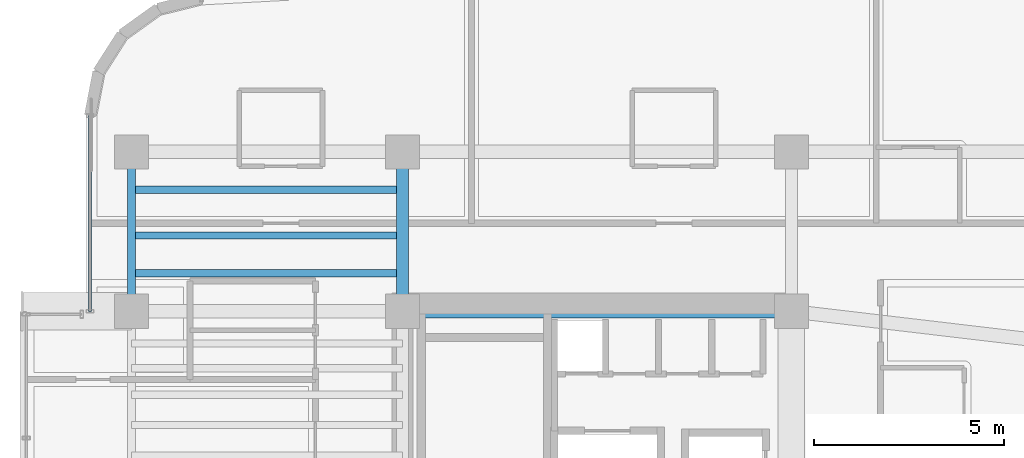
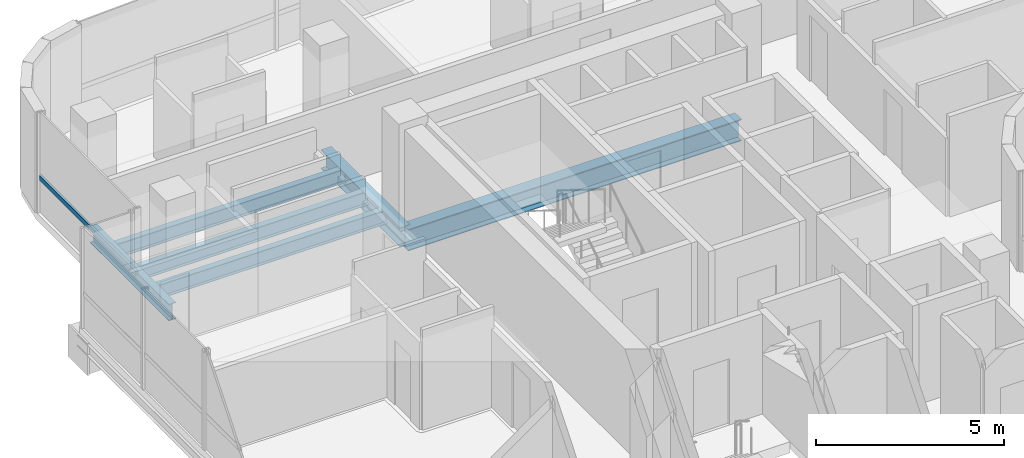
# One storey, part 8 of 22: 6 beams, 1 member, 1 element without a shape of its own.
"""IFC4 building model written with IfcOpenShell, lengths in metres."""

from ifc_helpers import new_model, si_unit, direction, frame, origin, origin_2d, place, context, subcontext, project, spatial, hollow_rectangle, i_section, extrude, source, transform, mapped, material, material_profile, profile_set, type_object, element, aggregate, save


model = new_model("IFC4")

# Units and contexts
model_context = context("Model", 3, precision=1e-05, world=origin(), true_north=direction((0.0, 1.0)))
body_context = subcontext(model_context, "Body", "Model", "MODEL_VIEW")
ifc_project = project(units=[si_unit("LENGTHUNIT", "METRE"), si_unit("AREAUNIT", "SQUARE_METRE"), si_unit("VOLUMEUNIT", "CUBIC_METRE"), si_unit("PLANEANGLEUNIT", "RADIAN"), si_unit("MASSUNIT", "GRAM", prefix="KILO")], contexts=[model_context])

# Site, building, storey
site_placement = place(None, origin())
site = spatial("IfcSite", under=ifc_project, at=site_placement, CompositionType="ELEMENT")
building_placement = place(site_placement, origin())
building = spatial("IfcBuilding", under=site, at=building_placement, Name="Valdorenza Pilgrim Sanctuary Tower", CompositionType="ELEMENT")
storey_placement = place(building_placement, frame((0.0, 0.0, 216.0)))
storey = spatial("IfcBuildingStorey", under=building, at=storey_placement, Name="L55", CompositionType="ELEMENT", Elevation=216.0)

# Beams
ifc_material_1 = material(Name="Steel ASTM A992 Grade 50", Category="steel")
ifc_material_profile_1 = material_profile(ifc_material_1, i_section(OverallWidth=0.323974609375, OverallDepth=0.611083984375, WebThickness=0.0126953125, FlangeThickness=0.01904296875, at=origin_2d()), Name="W24X104")
ifc_profile_set_1 = profile_set([ifc_material_profile_1], Name="Steel ASTM A992 Grade 50")
beam_type_1 = type_object("IfcBeamType", Name="STR-BM-GRD-W24B", PredefinedType="BEAM", material=ifc_profile_set_1)
shared_shape_1 = source(origin(), body_context, "Body", "SweptSolid", [
    extrude(i_section(OverallWidth=0.323974609375, OverallDepth=0.611083984375, WebThickness=0.0126953125, FlangeThickness=0.01904296875, at=origin_2d()), origin(), (0.0, 0.0, 1.0), 4.199951171875),
])
beam_1_placement = place(storey_placement, frame((-22.64990234375, 10.60009765625, -0.54541015625), z_axis=(0.0, 1.0, 0.0), x_axis=(-1.0, 0.0, 0.0)))
element("IfcBeam", 1, at=beam_1_placement, inside=storey, type_object=beam_type_1, Name="L55 Core Tie Girder CA-W-N1N2", PredefinedType="BEAM", context=body_context, shape_type="MappedRepresentation", body=[
    mapped(shared_shape_1, transform((0.0, 0.0, 0.0), x_axis=(1.0, 0.0, 0.0), y_axis=(0.0, 1.0, 0.0), z_axis=(0.0, 0.0, 1.0), scale=1.0)),
])
ifc_material_profile_2 = material_profile(ifc_material_1, i_section(OverallWidth=0.19091796875, OverallDepth=0.45703125, WebThickness=0.009033203125, FlangeThickness=0.014404296875, at=origin_2d()), Name="W18X50")
ifc_profile_set_2 = profile_set([ifc_material_profile_2], Name="Steel ASTM A992 Grade 50")
beam_type_2 = type_object("IfcBeamType", Name="STR-BM-JST-W18B", PredefinedType="JOIST", material=ifc_profile_set_2)
shared_shape_2 = source(origin(), body_context, "Body", "SweptSolid", [
    extrude(i_section(OverallWidth=0.19091796875, OverallDepth=0.45703125, WebThickness=0.009033203125, FlangeThickness=0.014404296875, at=origin_2d()), origin(), (0.0, 0.0, 1.0), 7.150146484375),
])
for number, where, z_axis, x_axis, name in (
    (2, (-29.800048828125, 11.60009765625, -0.468505859375), (1.0, 0.0, 0.0), (0.0, 1.0, 0.0), "L55 Composite Floor Joist JST-WA-24"),
    (3, (-29.800048828125, 12.60009765625, -0.468505859375), (1.0, 0.0, 0.0), (0.0, 1.0, 0.0), "L55 Composite Floor Joist JST-WA-25"),
    (4, (-29.800048828125, 13.800048828125, -0.468505859375), (1.0, 0.0, 0.0), (0.0, 1.0, 0.0), "L55 Composite Floor Joist JST-WA-26"),
):
    element("IfcBeam", number, at=place(storey_placement, frame(where, z_axis=z_axis, x_axis=x_axis)), inside=storey, type_object=beam_type_2, Name=name, PredefinedType="JOIST", context=body_context, shape_type="MappedRepresentation", body=[
        mapped(shared_shape_2, transform((0.0, 0.0, 0.0), x_axis=(1.0, 0.0, 0.0), y_axis=(0.0, 1.0, 0.0), z_axis=(0.0, 0.0, 1.0), scale=1.0)),
    ])
ifc_material_profile_3 = material_profile(ifc_material_1, i_section(OverallWidth=0.2109375, OverallDepth=0.5390625, WebThickness=0.01171875, FlangeThickness=0.018798828125, at=origin_2d()), Name="W21X73")
ifc_profile_set_3 = profile_set([ifc_material_profile_3], Name="Steel ASTM A992 Grade 50")
beam_type_3 = type_object("IfcBeamType", Name="STR-BM-SPN-W21B", PredefinedType="SPANDREL", material=ifc_profile_set_3)
shared_shape_3 = source(origin(), body_context, "Body", "SweptSolid", [
    extrude(i_section(OverallWidth=0.2109375, OverallDepth=0.5390625, WebThickness=0.01171875, FlangeThickness=0.018798828125, at=origin_2d()), origin(), (0.0, 0.0, 1.0), 4.199951171875),
])
beam_2_placement = place(storey_placement, frame((-29.800048828125, 10.60009765625, -0.509521484375), z_axis=(0.0, 1.0, 0.0), x_axis=(-1.0, 0.0, 0.0)))
element("IfcBeam", 5, at=beam_2_placement, inside=storey, type_object=beam_type_3, Name="L55 Spandrel Beam WA-W-N1N2", PredefinedType="SPANDREL", context=body_context, shape_type="MappedRepresentation", body=[
    mapped(shared_shape_3, transform((0.0, 0.0, 0.0), x_axis=(1.0, 0.0, 0.0), y_axis=(0.0, 1.0, 0.0), z_axis=(0.0, 0.0, 1.0), scale=1.0)),
])
ifc_material_profile_4 = material_profile(ifc_material_1, i_section(OverallWidth=0.35595703125, OverallDepth=0.700927734375, WebThickness=0.016845703125, FlangeThickness=0.02734375, at=origin_2d()), Name="W27X161")
ifc_profile_set_4 = profile_set([ifc_material_profile_4], Name="Steel ASTM A992 Grade 50")
beam_type_4 = type_object("IfcBeamType", Name="STR-BM-GRD-W27", PredefinedType="BEAM", material=ifc_profile_set_4)
shared_shape_4 = source(origin(), body_context, "Body", "SweptSolid", [
    extrude(i_section(OverallWidth=0.35595703125, OverallDepth=0.700927734375, WebThickness=0.016845703125, FlangeThickness=0.02734375, at=origin_2d()), origin(), (0.0, 0.0, 1.0), 10.25),
])
beam_3_placement = place(storey_placement, frame((-22.64990234375, 10.60009765625, -0.590576171875), z_axis=(1.0, 0.0, 0.0), x_axis=(0.0, 1.0, 0.0)))
element("IfcBeam", 6, at=beam_3_placement, inside=storey, type_object=beam_type_4, Name="L55 Floor Girder CA-XC-N1", PredefinedType="BEAM", context=body_context, shape_type="MappedRepresentation", body=[
    mapped(shared_shape_4, transform((0.0, 0.0, 0.0), x_axis=(1.0, 0.0, 0.0), y_axis=(0.0, 1.0, 0.0), z_axis=(0.0, 0.0, 1.0), scale=1.0)),
])

# Curtain wall, member
ifc_material_2 = material(Name="Curtain-wall IGU glazing", Category="glass")
curtain_wall_type = type_object("IfcCurtainWallType", Name="CW-SYS-02", PredefinedType="NOTDEFINED", material=ifc_material_2)
curtain_wall_placement = place(storey_placement, origin())
curtain_wall = element("IfcCurtainWall", 7, at=curtain_wall_placement, inside=storey, type_object=curtain_wall_type, Name="L55 Curtain Wall CW-L55-1-1S2", PredefinedType="NOTDEFINED")
ifc_material_3 = material(Name="Anodised aluminium AW-6060", Category="aluminium")
ifc_material_profile_5 = material_profile(ifc_material_3, hollow_rectangle(XDim=0.074951171875, YDim=0.14990234375, WallThickness=0.00390625, at=origin_2d()), Name="ALU-T 150x75x4")
ifc_profile_set_5 = profile_set([ifc_material_profile_5], Name="Anodised aluminium AW-6060")
member_type = type_object("IfcMemberType", Name="CW-TRN-02", PredefinedType="USERDEFINED", material=ifc_profile_set_5)
shared_shape_5 = source(origin(), body_context, "Body", "SweptSolid", [
    extrude(hollow_rectangle(XDim=0.074951171875, YDim=0.14990234375, WallThickness=0.00390625, at=origin_2d()), origin(), (0.0, 0.0, 1.0), 5.157470703125),
])
member_placement = place(storey_placement, frame((-30.889892578125, 10.60009765625, 1.1201171875), z_axis=(0.0, 1.0, 0.0), x_axis=(-1.0, 0.0, 0.0)))
member = element("IfcMember", 8, at=member_placement, type_object=member_type, Name="CW-L55-1-1S2 Transom 1", ObjectType="TRANSOM", PredefinedType="USERDEFINED", context=body_context, shape_type="MappedRepresentation", body=[
    mapped(shared_shape_5, transform((0.0, 0.0, 0.0), x_axis=(1.0, 0.0, 0.0), y_axis=(0.0, 1.0, 0.0), z_axis=(0.0, 0.0, 1.0), scale=1.0)),
])
aggregate(curtain_wall, [member])

save(model, "model.ifc")
